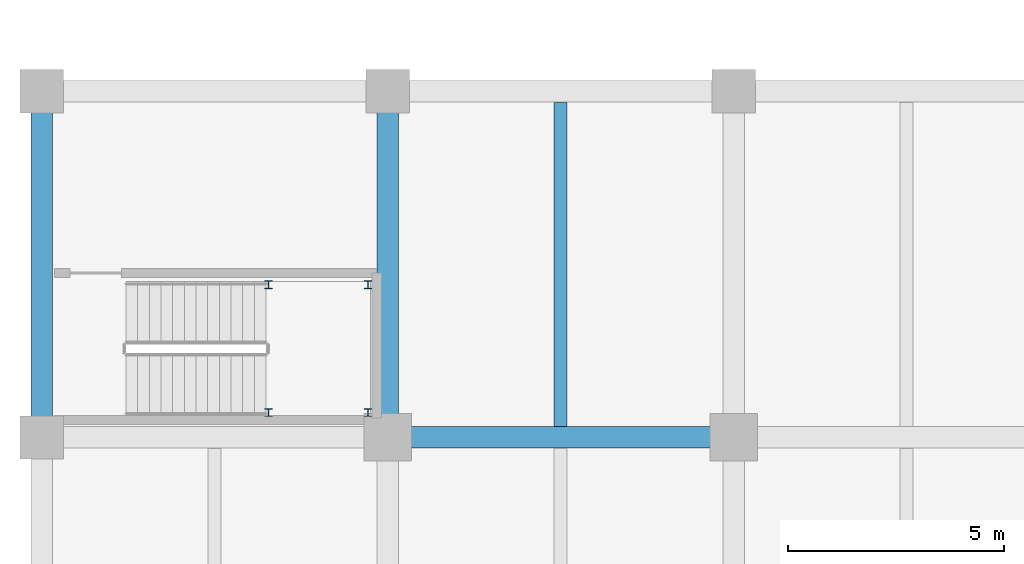
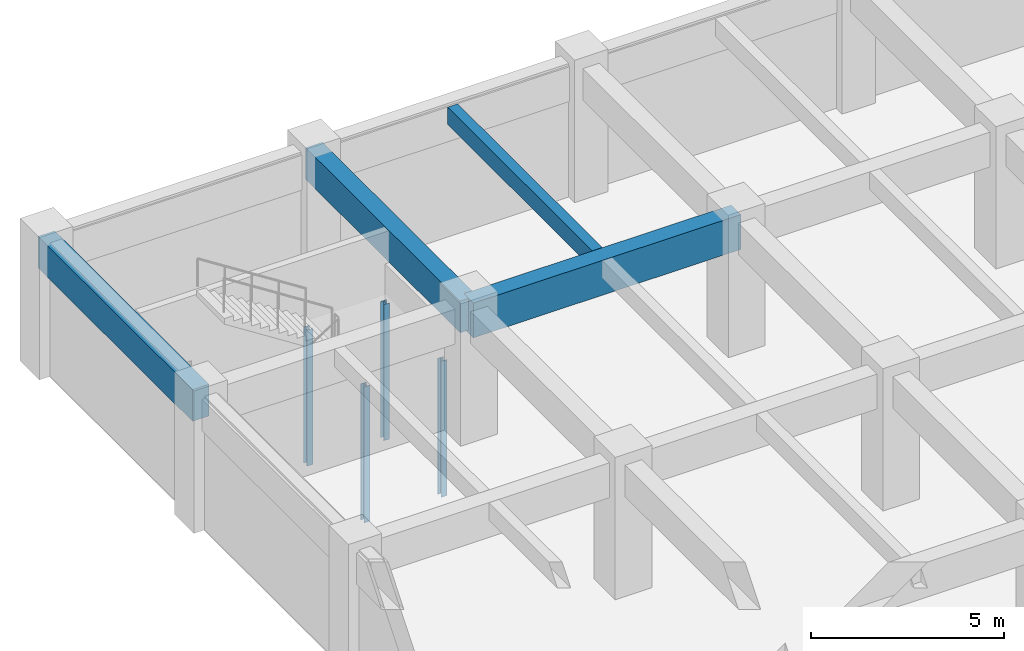
# One storey, part 8 of 16: 4 beams, 4 members.
"""IFC4 building model written with IfcOpenShell, lengths in metres."""

from ifc_helpers import new_model, si_unit, direction, frame, origin, origin_2d, place, context, subcontext, project, spatial, rectangle, i_section, extrude, material, material_profile, profile_set, type_object, element, save


model = new_model("IFC4")

# Units and contexts
model_context = context("Model", 3, precision=1e-05, world=origin(), true_north=direction((0.0, 1.0)))
body_context = subcontext(model_context, "Body", "Model", "MODEL_VIEW")
ifc_project = project(units=[si_unit("LENGTHUNIT", "METRE"), si_unit("AREAUNIT", "SQUARE_METRE"), si_unit("VOLUMEUNIT", "CUBIC_METRE"), si_unit("PLANEANGLEUNIT", "RADIAN"), si_unit("MASSUNIT", "GRAM", prefix="KILO")], contexts=[model_context])

# Site, building, storey
site_placement = place(None, origin())
site = spatial("IfcSite", under=ifc_project, at=site_placement, CompositionType="ELEMENT")
building_placement = place(site_placement, origin())
building = spatial("IfcBuilding", under=site, at=building_placement, Name="Canggui Botanical Conservatory", CompositionType="ELEMENT")
storey_placement = place(building_placement, frame((0.0, 0.0, -4.5)))
storey = spatial("IfcBuildingStorey", under=building, at=storey_placement, Name="B1", CompositionType="ELEMENT", Elevation=-4.5)

# Beams
ifc_material_1 = material(Name="Concrete C35", Category="concrete")
ifc_material_profile_1 = material_profile(ifc_material_1, rectangle(XDim=0.300048828125, YDim=0.550048828125, at=origin_2d()), Name="RB 300x550")
ifc_profile_set_1 = profile_set([ifc_material_profile_1], Name="Concrete C35")
beam_type_1 = type_object("IfcBeamType", Name="BM-JST01", PredefinedType="JOIST", material=ifc_profile_set_1)
beam_1_placement = place(storey_placement, frame((134.0, 98.2548828125, 3.875), z_axis=(0.0, 1.0, 0.0), x_axis=(-1.0, 0.0, 0.0)))
element("IfcBeam", 1, at=beam_1_placement, inside=storey, type_object=beam_type_1, Name="Secondary Floor Joist B1-2-10", PredefinedType="JOIST", context=body_context, shape_type="SweptSolid", body=[
    extrude(rectangle(XDim=0.300048828125, YDim=0.550048828125, at=origin_2d()), origin(), (0.0, 0.0, 1.0), 7.490234375),
])
ifc_material_profile_2 = material_profile(ifc_material_1, rectangle(XDim=0.5, YDim=1.10009765625, at=origin_2d()), Name="RB 500x1100")
ifc_profile_set_2 = profile_set([ifc_material_profile_2], Name="Concrete C35")
beam_type_2 = type_object("IfcBeamType", Name="BM-KL01", PredefinedType="BEAM", material=ifc_profile_set_2)
beam_2_placement = place(storey_placement, frame((130.0, 98.0, 3.60009765625), z_axis=(1.0, 0.0, 0.0), x_axis=(0.0, 1.0, 0.0)))
element("IfcBeam", 2, at=beam_2_placement, inside=storey, type_object=beam_type_2, Name="Frame Girder B1 Y98-2", PredefinedType="BEAM", context=body_context, shape_type="SweptSolid", body=[
    extrude(rectangle(XDim=0.5, YDim=1.10009765625, at=origin_2d()), origin(), (0.0, 0.0, 1.0), 8.0),
])
ifc_material_profile_3 = material_profile(ifc_material_1, rectangle(XDim=0.5, YDim=1.0, at=origin_2d()), Name="RB 500x1000")
ifc_profile_set_3 = profile_set([ifc_material_profile_3], Name="Concrete C35")
beam_type_3 = type_object("IfcBeamType", Name="BM-KL02", PredefinedType="BEAM", material=ifc_profile_set_3)
for number, where, z_axis, x_axis, name in (
    (3, (122.0, 98.0, 3.64990234375), (0.0, 1.0, 0.0), (-1.0, 0.0, 0.0), "Frame Girder B1 X122-10"),
    (4, (130.0, 98.0, 3.64990234375), (0.0, 1.0, 0.0), (-1.0, 0.0, 0.0), "Frame Girder B1 X130-10"),
):
    element("IfcBeam", number, at=place(storey_placement, frame(where, z_axis=z_axis, x_axis=x_axis)), inside=storey, type_object=beam_type_3, Name=name, PredefinedType="BEAM", context=body_context, shape_type="SweptSolid", body=[
        extrude(rectangle(XDim=0.5, YDim=1.0, at=origin_2d()), origin(), (0.0, 0.0, 1.0), 8.0),
    ])

# Members
ifc_material_2 = material(Name="Steel Q355B", Category="steel")
ifc_material_profile_4 = material_profile(ifc_material_2, i_section(OverallWidth=0.175048828125, OverallDepth=0.175048828125, WebThickness=0.007568359375, FlangeThickness=0.010986328125, FilletRadius=0.011962890625, at=origin_2d()), Name="HW 175x175x7.5x11")
ifc_profile_set_4 = profile_set([ifc_material_profile_4], Name="Steel Q355B")
member_type = type_object("IfcMemberType", Name="MEM-STR02", PredefinedType="STRINGER", material=ifc_profile_set_4)
for number, where, z_axis, x_axis, name in (
    (5, (127.244873046875, 98.571044921875, -2.25), (0.0, 0.0, 1.0), (1.0, 0.0, 0.0), "ST-G2 Landing Support Post B1-1.1"),
    (6, (129.544921875, 98.571044921875, -2.25), (0.0, 0.0, 1.0), (1.0, 0.0, 0.0), "ST-G2 Landing Support Post B1-1.2"),
    (7, (129.544921875, 101.529052734375, -2.25), (0.0, 0.0, 1.0), (1.0, 0.0, 0.0), "ST-G2 Landing Support Post B1-1.3"),
    (8, (127.244873046875, 101.529052734375, -2.25), (0.0, 0.0, 1.0), (1.0, 0.0, 0.0), "ST-G2 Landing Support Post B1-1.4"),
):
    element("IfcMember", number, at=place(storey_placement, frame(where, z_axis=z_axis, x_axis=x_axis)), inside=storey, type_object=member_type, Name=name, PredefinedType="POST", context=body_context, shape_type="SweptSolid", body=[
        extrude(i_section(OverallWidth=0.175048828125, OverallDepth=0.175048828125, WebThickness=0.007568359375, FlangeThickness=0.010986328125, FilletRadius=0.011962890625, at=origin_2d()), origin(), (0.0, 0.0, 1.0), 4.300048828125),
    ])

save(model, "model.ifc")
